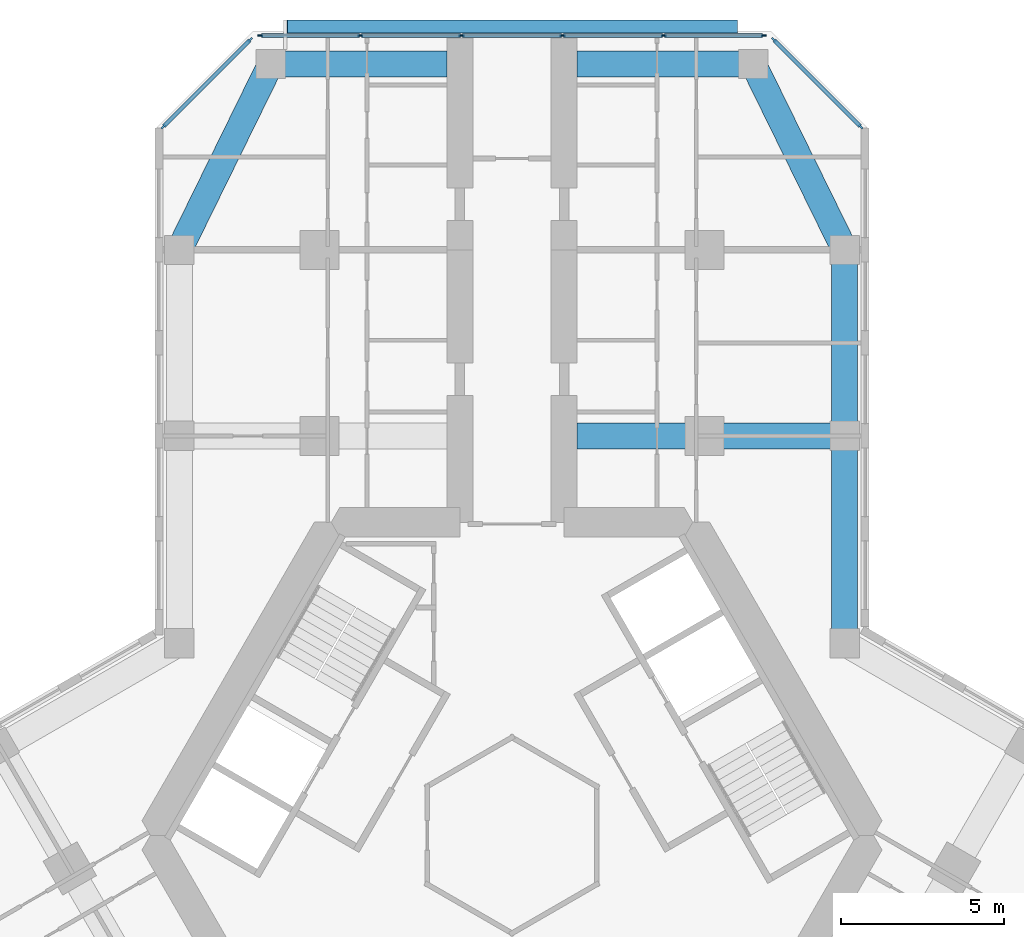
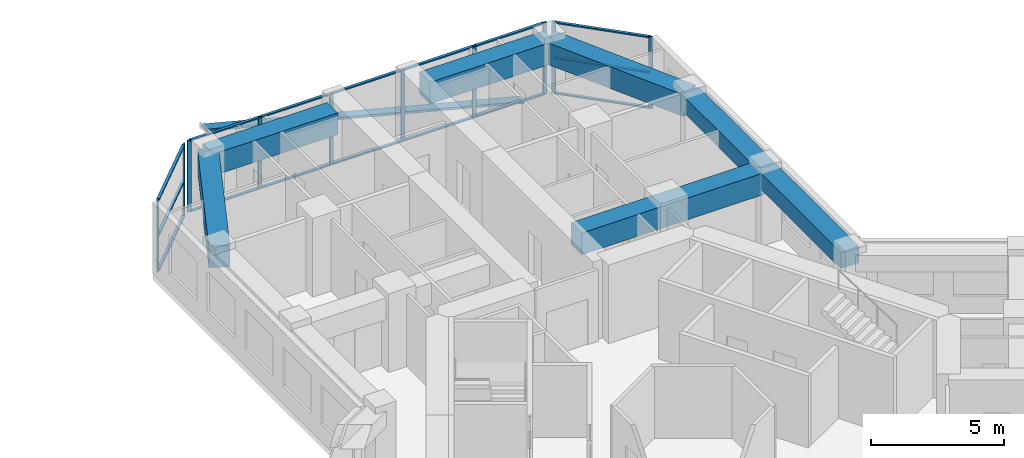
# One storey, part 7 of 20: 27 members, 7 beams, 3 elements without a shape of their own.
"""IFC4 building model written with IfcOpenShell, lengths in metres."""

from ifc_helpers import new_model, si_unit, direction, frame, origin, origin_2d, place, context, subcontext, project, spatial, rectangle, extrude, material, material_profile, profile_set, type_object, element, aggregate, save


model = new_model("IFC4")

# Units and contexts
model_context = context("Model", 3, precision=1e-05, world=origin(), true_north=direction((0.0, 1.0)))
body_context = subcontext(model_context, "Body", "Model", "MODEL_VIEW")
ifc_project = project(units=[si_unit("LENGTHUNIT", "METRE"), si_unit("AREAUNIT", "SQUARE_METRE"), si_unit("VOLUMEUNIT", "CUBIC_METRE"), si_unit("PLANEANGLEUNIT", "RADIAN"), si_unit("MASSUNIT", "GRAM", prefix="KILO")], contexts=[model_context])

# Site, building, storey
site_placement = place(None, origin())
site = spatial("IfcSite", under=ifc_project, at=site_placement, CompositionType="ELEMENT")
building_placement = place(site_placement, origin())
building = spatial("IfcBuilding", under=site, at=building_placement, Name="Kosmar Iwan School Tower", CompositionType="ELEMENT")
storey_placement = place(building_placement, frame((0.0, 0.0, 183.199951171875)))
storey = spatial("IfcBuildingStorey", under=building, at=storey_placement, Name="L46", CompositionType="ELEMENT", Elevation=183.199951171875)

# Beams
ifc_material_1 = material(Name="Concrete C50/60", Category="concrete")
ifc_material_profile_1 = material_profile(ifc_material_1, rectangle(XDim=0.800048828125, YDim=0.75, at=origin_2d()), Name="RC 800x750 + HD 400x634")
ifc_profile_set_1 = profile_set([ifc_material_profile_1], Name="Concrete C50/60")
beam_type_1 = type_object("IfcBeamType", Name="Composite edge beam 800x750 HD 400x634", PredefinedType="BEAM", material=ifc_profile_set_1)
beam_1_placement = place(storey_placement, frame((10.199951171875, 5.888916015625, 2.925048828125), z_axis=(0.0, 1.0, 0.0), x_axis=(-1.0, 0.0, 0.0)))
element("IfcBeam", 1, at=beam_1_placement, inside=storey, type_object=beam_type_1, Name="Edge beam AR1", PredefinedType="BEAM", context=body_context, shape_type="SweptSolid", body=[
    extrude(rectangle(XDim=0.800048828125, YDim=0.75, at=origin_2d()), origin(), (0.0, 0.0, 1.0), 6.361083984375),
])
beam_2_placement = place(storey_placement, frame((10.199951171875, 12.25, 2.925048828125), z_axis=(0.0, 1.0, 0.0), x_axis=(-1.0, 0.0, 0.0)))
element("IfcBeam", 2, at=beam_2_placement, inside=storey, type_object=beam_type_1, Name="Edge beam AR2", PredefinedType="BEAM", context=body_context, shape_type="SweptSolid", body=[
    extrude(rectangle(XDim=0.800048828125, YDim=0.75, at=origin_2d()), origin(), (0.0, 0.0, 1.0), 5.699951171875),
])
ifc_material_2 = material(Name="Concrete C50/60", Category="concrete")
ifc_material_profile_2 = material_profile(ifc_material_2, rectangle(XDim=0.800048828125, YDim=1.0, at=origin_2d()), Name="RC 800x1000 + HD 400x347")
ifc_profile_set_2 = profile_set([ifc_material_profile_2], Name="Concrete C50/60")
beam_type_2 = type_object("IfcBeamType", Name="Composite tip beam 800x1000 HD 400x347", PredefinedType="BEAM", material=ifc_profile_set_2)
beam_3_placement = place(storey_placement, frame((-10.199951171875, 17.949951171875, 2.800048828125), z_axis=(0.440913116462, 0.897549788999, 0.0), x_axis=(-0.897549788999, 0.440913116462, 0.0)))
element("IfcBeam", 3, at=beam_3_placement, inside=storey, type_object=beam_type_2, Name="Tip beam AL", PredefinedType="BEAM", context=body_context, shape_type="SweptSolid", body=[
    extrude(rectangle(XDim=0.800048828125, YDim=1.0, at=origin_2d()), origin(), (0.0, 0.0, 1.0), 6.3505859375),
])
beam_4_placement = place(storey_placement, frame((-7.39990234375, 23.64990234375, 2.800048828125), z_axis=(1.0, 0.0, 0.0), x_axis=(0.0, 1.0, 0.0)))
element("IfcBeam", 4, at=beam_4_placement, inside=storey, type_object=beam_type_2, Name="Tip beam AL to corridor wall", PredefinedType="BEAM", context=body_context, shape_type="SweptSolid", body=[
    extrude(rectangle(XDim=0.800048828125, YDim=1.0, at=origin_2d()), origin(), (0.0, 0.0, 1.0), 5.39990234375),
])
beam_5_placement = place(storey_placement, frame((10.199951171875, 17.949951171875, 2.800048828125), z_axis=(-0.440913116462, 0.897549788999, 0.0), x_axis=(-0.897549788999, -0.440913116462, 0.0)))
element("IfcBeam", 5, at=beam_5_placement, inside=storey, type_object=beam_type_2, Name="Tip beam AR", PredefinedType="BEAM", context=body_context, shape_type="SweptSolid", body=[
    extrude(rectangle(XDim=0.800048828125, YDim=1.0, at=origin_2d()), origin(), (0.0, 0.0, 1.0), 6.3505859375),
])
beam_6_placement = place(storey_placement, frame((7.39990234375, 23.64990234375, 2.800048828125), z_axis=(-1.0, 0.0, 0.0), x_axis=(0.0, -1.0, 0.0)))
element("IfcBeam", 6, at=beam_6_placement, inside=storey, type_object=beam_type_2, Name="Tip beam AR to corridor wall", PredefinedType="BEAM", context=body_context, shape_type="SweptSolid", body=[
    extrude(rectangle(XDim=0.800048828125, YDim=1.0, at=origin_2d()), origin(), (0.0, 0.0, 1.0), 5.39990234375),
])
ifc_material_3 = material(Name="Concrete C50/60", Category="concrete")
ifc_material_profile_3 = material_profile(ifc_material_3, rectangle(XDim=0.800048828125, YDim=1.0, at=origin_2d()), Name="RC 800x1000 + HD 400x634")
ifc_profile_set_3 = profile_set([ifc_material_profile_3], Name="Concrete C50/60")
beam_type_3 = type_object("IfcBeamType", Name="Composite transverse beam 800x1000 HD 400x634", PredefinedType="BEAM", material=ifc_profile_set_3)
beam_7_placement = place(storey_placement, frame((10.199951171875, 12.25, 2.800048828125), z_axis=(-1.0, 0.0, 0.0), x_axis=(0.0, -1.0, 0.0)))
element("IfcBeam", 7, at=beam_7_placement, inside=storey, type_object=beam_type_3, Name="Transverse beam AR1", PredefinedType="BEAM", context=body_context, shape_type="SweptSolid", body=[
    extrude(rectangle(XDim=0.800048828125, YDim=1.0, at=origin_2d()), origin(), (0.0, 0.0, 1.0), 8.199951171875),
])

# Member
ifc_material_4 = material(Name="Black anodised aluminium", Category="aluminium")
ifc_material_profile_4 = material_profile(ifc_material_4, rectangle(XDim=0.10009765625, YDim=0.39990234375, at=origin_2d()), Name="FIN 100x400")
ifc_profile_set_4 = profile_set([ifc_material_profile_4], Name="Black anodised aluminium")
member_type_1 = type_object("IfcMemberType", Name="Diagonal fin 100x400", PredefinedType="USERDEFINED", material=ifc_profile_set_4)
member_1_placement = place(storey_placement, frame((6.898193359375, 24.800048828125, -0.14990234375), z_axis=(-0.968452174919, 0.0, 0.249199488152), x_axis=(0.249199488152, 0.0, 0.968452174919)))
element("IfcMember", 8, at=member_1_placement, inside=storey, type_object=member_type_1, Name="Diagonal fin L46-F08", ObjectType="FIN", PredefinedType="USERDEFINED", context=body_context, shape_type="SweptSolid", body=[
    extrude(rectangle(XDim=0.10009765625, YDim=0.39990234375, at=origin_2d()), origin(), (0.0, 0.0, 1.0), 14.245849609375),
])

# Curtain wall, members
ifc_material_5 = material(Name="Dark glass in black aluminium frame", Category="aluminium")
curtain_wall_type_1 = type_object("IfcCurtainWallType", Name="Chamfer curtain wall dark glass", PredefinedType="USERDEFINED", material=ifc_material_5)
curtain_wall_1_placement = place(storey_placement, origin())
curtain_wall_1 = element("IfcCurtainWall", 9, at=curtain_wall_1_placement, inside=storey, type_object=curtain_wall_type_1, Name="Curtain wall L46-F07", ObjectType="FACETED CURTAIN WALL", PredefinedType="USERDEFINED")
ifc_material_6 = material(Name="Black anodised aluminium", Category="aluminium")
ifc_material_profile_5 = material_profile(ifc_material_6, rectangle(XDim=0.06005859375, YDim=0.159912109375, at=origin_2d()), Name="MULLION 60x160")
ifc_profile_set_5 = profile_set([ifc_material_profile_5], Name="Black anodised aluminium")
member_type_2 = type_object("IfcMemberType", Name="Mullion 60x160", PredefinedType="MULLION", material=ifc_profile_set_5)
member_2_placement = place(storey_placement, frame((10.69775390625, 21.7255859375, 0.0), z_axis=(0.0, 0.0, 1.0), x_axis=(-0.707106781187, -0.707106781187, 0.0)))
member_2 = element("IfcMember", 10, at=member_2_placement, type_object=member_type_2, Name="CW2 mullion 1", PredefinedType="MULLION", context=body_context, shape_type="SweptSolid", body=[
    extrude(rectangle(XDim=0.06005859375, YDim=0.159912109375, at=origin_2d()), origin(), (0.0, 0.0, 1.0), 3.300048828125),
])
member_3_placement = place(storey_placement, frame((8.025390625, 24.397705078125, 0.0), z_axis=(0.0, 0.0, 1.0), x_axis=(-0.707106781187, -0.707106781187, 0.0)))
member_3 = element("IfcMember", 11, at=member_3_placement, type_object=member_type_2, Name="CW2 mullion 2", PredefinedType="MULLION", context=body_context, shape_type="SweptSolid", body=[
    extrude(rectangle(XDim=0.06005859375, YDim=0.159912109375, at=origin_2d()), origin(), (0.0, 0.0, 1.0), 3.300048828125),
])

ifc_material_7 = material(Name="Dark glass in black aluminium frame", Category="aluminium")
curtain_wall_type_2 = type_object("IfcCurtainWallType", Name="Tower curtain wall dark glass", PredefinedType="USERDEFINED", material=ifc_material_7)
curtain_wall_2_placement = place(storey_placement, origin())
curtain_wall_2 = element("IfcCurtainWall", 12, at=curtain_wall_2_placement, inside=storey, type_object=curtain_wall_type_2, Name="Curtain wall L46-F08", ObjectType="UNITISED CURTAIN WALL", PredefinedType="USERDEFINED")
member_4_placement = place(storey_placement, frame((7.71826171875, 24.52490234375, 0.0), z_axis=(0.0, 0.0, 1.0), x_axis=(0.0, -1.0, 0.0)))
member_4 = element("IfcMember", 13, at=member_4_placement, type_object=member_type_2, Name="CW1 mullion 1", PredefinedType="MULLION", context=body_context, shape_type="SweptSolid", body=[
    extrude(rectangle(XDim=0.06005859375, YDim=0.159912109375, at=origin_2d()), origin(), (0.0, 0.0, 1.0), 3.300048828125),
])
member_5_placement = place(storey_placement, frame((4.64892578125, 24.52490234375, 0.0), z_axis=(0.0, 0.0, 1.0), x_axis=(0.0, -1.0, 0.0)))
member_5 = element("IfcMember", 14, at=member_5_placement, type_object=member_type_2, Name="CW1 mullion 2", PredefinedType="MULLION", context=body_context, shape_type="SweptSolid", body=[
    extrude(rectangle(XDim=0.06005859375, YDim=0.159912109375, at=origin_2d()), origin(), (0.0, 0.0, 1.0), 3.300048828125),
])
member_6_placement = place(storey_placement, frame((1.549560546875, 24.52490234375, 0.0), z_axis=(0.0, 0.0, 1.0), x_axis=(0.0, -1.0, 0.0)))
member_6 = element("IfcMember", 15, at=member_6_placement, type_object=member_type_2, Name="CW1 mullion 3", PredefinedType="MULLION", context=body_context, shape_type="SweptSolid", body=[
    extrude(rectangle(XDim=0.06005859375, YDim=0.159912109375, at=origin_2d()), origin(), (0.0, 0.0, 1.0), 3.300048828125),
])
member_7_placement = place(storey_placement, frame((-1.549560546875, 24.52490234375, 0.0), z_axis=(0.0, 0.0, 1.0), x_axis=(0.0, -1.0, 0.0)))
member_7 = element("IfcMember", 16, at=member_7_placement, type_object=member_type_2, Name="CW1 mullion 4", PredefinedType="MULLION", context=body_context, shape_type="SweptSolid", body=[
    extrude(rectangle(XDim=0.06005859375, YDim=0.159912109375, at=origin_2d()), origin(), (0.0, 0.0, 1.0), 3.300048828125),
])
member_8_placement = place(storey_placement, frame((-4.64892578125, 24.52490234375, 0.0), z_axis=(0.0, 0.0, 1.0), x_axis=(0.0, -1.0, 0.0)))
member_8 = element("IfcMember", 17, at=member_8_placement, type_object=member_type_2, Name="CW1 mullion 5", PredefinedType="MULLION", context=body_context, shape_type="SweptSolid", body=[
    extrude(rectangle(XDim=0.06005859375, YDim=0.159912109375, at=origin_2d()), origin(), (0.0, 0.0, 1.0), 3.300048828125),
])
member_9_placement = place(storey_placement, frame((-7.71826171875, 24.52490234375, 0.0), z_axis=(0.0, 0.0, 1.0), x_axis=(0.0, -1.0, 0.0)))
member_9 = element("IfcMember", 18, at=member_9_placement, type_object=member_type_2, Name="CW1 mullion 6", PredefinedType="MULLION", context=body_context, shape_type="SweptSolid", body=[
    extrude(rectangle(XDim=0.06005859375, YDim=0.159912109375, at=origin_2d()), origin(), (0.0, 0.0, 1.0), 3.300048828125),
])

curtain_wall_3_placement = place(storey_placement, origin())
curtain_wall_3 = element("IfcCurtainWall", 19, at=curtain_wall_3_placement, inside=storey, type_object=curtain_wall_type_1, Name="Curtain wall L46-F09", ObjectType="FACETED CURTAIN WALL", PredefinedType="USERDEFINED")
member_10_placement = place(storey_placement, frame((-8.025390625, 24.397705078125, 0.0), z_axis=(0.0, 0.0, 1.0), x_axis=(0.707106781187, -0.707106781187, 0.0)))
member_10 = element("IfcMember", 20, at=member_10_placement, type_object=member_type_2, Name="CW2 mullion 1", PredefinedType="MULLION", context=body_context, shape_type="SweptSolid", body=[
    extrude(rectangle(XDim=0.06005859375, YDim=0.159912109375, at=origin_2d()), origin(), (0.0, 0.0, 1.0), 3.300048828125),
])
member_11_placement = place(storey_placement, frame((-10.69775390625, 21.7255859375, 0.0), z_axis=(0.0, 0.0, 1.0), x_axis=(0.707106781187, -0.707106781187, 0.0)))
member_11 = element("IfcMember", 21, at=member_11_placement, type_object=member_type_2, Name="CW2 mullion 2", PredefinedType="MULLION", context=body_context, shape_type="SweptSolid", body=[
    extrude(rectangle(XDim=0.06005859375, YDim=0.159912109375, at=origin_2d()), origin(), (0.0, 0.0, 1.0), 3.300048828125),
])

# Member
ifc_material_8 = material(Name="Black anodised aluminium", Category="aluminium")
ifc_material_profile_6 = material_profile(ifc_material_8, rectangle(XDim=0.1201171875, YDim=0.06005859375, at=origin_2d()), Name="TRANSOM 60x120")
ifc_profile_set_6 = profile_set([ifc_material_profile_6], Name="Black anodised aluminium")
member_type_3 = type_object("IfcMemberType", Name="Transom 60x120", PredefinedType="USERDEFINED", material=ifc_profile_set_6)
member_12_placement = place(storey_placement, frame((10.676513671875, 21.746826171875, 0.030029296875), z_axis=(-0.707139603466, 0.707073957383, 0.0), x_axis=(-0.707073957383, -0.707139603466, 0.0)))
member_12 = element("IfcMember", 22, at=member_12_placement, type_object=member_type_3, Name="CW2 transom 1.1", ObjectType="TRANSOM", PredefinedType="USERDEFINED", context=body_context, shape_type="SweptSolid", body=[
    extrude(rectangle(XDim=0.1201171875, YDim=0.06005859375, at=origin_2d()), origin(), (0.0, 0.0, 1.0), 3.718994140625),
])

member_13_placement = place(storey_placement, frame((10.676513671875, 21.746826171875, 1.650146484375), z_axis=(-0.707139603466, 0.707073957383, 0.0), x_axis=(-0.707073957383, -0.707139603466, 0.0)))
member_13 = element("IfcMember", 23, at=member_13_placement, type_object=member_type_3, Name="CW2 transom 1.2", ObjectType="TRANSOM", PredefinedType="USERDEFINED", context=body_context, shape_type="SweptSolid", body=[
    extrude(rectangle(XDim=0.1201171875, YDim=0.06005859375, at=origin_2d()), origin(), (0.0, 0.0, 1.0), 3.718994140625),
])

member_14_placement = place(storey_placement, frame((10.676513671875, 21.746826171875, 3.27001953125), z_axis=(-0.707139603466, 0.707073957383, 0.0), x_axis=(-0.707073957383, -0.707139603466, 0.0)))
member_14 = element("IfcMember", 24, at=member_14_placement, type_object=member_type_3, Name="CW2 transom 1.3", ObjectType="TRANSOM", PredefinedType="USERDEFINED", context=body_context, shape_type="SweptSolid", body=[
    extrude(rectangle(XDim=0.1201171875, YDim=0.06005859375, at=origin_2d()), origin(), (0.0, 0.0, 1.0), 3.718994140625),
])

aggregate(curtain_wall_1, [member_2, member_3, member_12, member_13, member_14])

member_15_placement = place(storey_placement, frame((7.688232421875, 24.52490234375, 0.030029296875), z_axis=(-1.0, 0.0, 0.0), x_axis=(0.0, -1.0, 0.0)))
member_15 = element("IfcMember", 25, at=member_15_placement, type_object=member_type_3, Name="CW1 transom 1.1", ObjectType="TRANSOM", PredefinedType="USERDEFINED", context=body_context, shape_type="SweptSolid", body=[
    extrude(rectangle(XDim=0.1201171875, YDim=0.06005859375, at=origin_2d()), origin(), (0.0, 0.0, 1.0), 3.00927734375),
])

member_16_placement = place(storey_placement, frame((7.688232421875, 24.52490234375, 3.27001953125), z_axis=(-1.0, 0.0, 0.0), x_axis=(0.0, -1.0, 0.0)))
member_16 = element("IfcMember", 26, at=member_16_placement, type_object=member_type_3, Name="CW1 transom 1.2", ObjectType="TRANSOM", PredefinedType="USERDEFINED", context=body_context, shape_type="SweptSolid", body=[
    extrude(rectangle(XDim=0.1201171875, YDim=0.06005859375, at=origin_2d()), origin(), (0.0, 0.0, 1.0), 3.00927734375),
])

member_17_placement = place(storey_placement, frame((4.618896484375, 24.52490234375, 0.030029296875), z_axis=(-1.0, 0.0, 0.0), x_axis=(0.0, -1.0, 0.0)))
member_17 = element("IfcMember", 27, at=member_17_placement, type_object=member_type_3, Name="CW1 transom 2.1", ObjectType="TRANSOM", PredefinedType="USERDEFINED", context=body_context, shape_type="SweptSolid", body=[
    extrude(rectangle(XDim=0.1201171875, YDim=0.06005859375, at=origin_2d()), origin(), (0.0, 0.0, 1.0), 3.039306640625),
])

member_18_placement = place(storey_placement, frame((4.618896484375, 24.52490234375, 3.27001953125), z_axis=(-1.0, 0.0, 0.0), x_axis=(0.0, -1.0, 0.0)))
member_18 = element("IfcMember", 28, at=member_18_placement, type_object=member_type_3, Name="CW1 transom 2.2", ObjectType="TRANSOM", PredefinedType="USERDEFINED", context=body_context, shape_type="SweptSolid", body=[
    extrude(rectangle(XDim=0.1201171875, YDim=0.06005859375, at=origin_2d()), origin(), (0.0, 0.0, 1.0), 3.039306640625),
])

member_19_placement = place(storey_placement, frame((1.51953125, 24.52490234375, 0.030029296875), z_axis=(-1.0, 0.0, 0.0), x_axis=(0.0, -1.0, 0.0)))
member_19 = element("IfcMember", 29, at=member_19_placement, type_object=member_type_3, Name="CW1 transom 3.1", ObjectType="TRANSOM", PredefinedType="USERDEFINED", context=body_context, shape_type="SweptSolid", body=[
    extrude(rectangle(XDim=0.1201171875, YDim=0.06005859375, at=origin_2d()), origin(), (0.0, 0.0, 1.0), 3.0390625),
])

member_20_placement = place(storey_placement, frame((1.51953125, 24.52490234375, 3.27001953125), z_axis=(-1.0, 0.0, 0.0), x_axis=(0.0, -1.0, 0.0)))
member_20 = element("IfcMember", 30, at=member_20_placement, type_object=member_type_3, Name="CW1 transom 3.2", ObjectType="TRANSOM", PredefinedType="USERDEFINED", context=body_context, shape_type="SweptSolid", body=[
    extrude(rectangle(XDim=0.1201171875, YDim=0.06005859375, at=origin_2d()), origin(), (0.0, 0.0, 1.0), 3.0390625),
])

member_21_placement = place(storey_placement, frame((-1.57958984375, 24.52490234375, 0.030029296875), z_axis=(-1.0, 0.0, 0.0), x_axis=(0.0, -1.0, 0.0)))
member_21 = element("IfcMember", 31, at=member_21_placement, type_object=member_type_3, Name="CW1 transom 4.1", ObjectType="TRANSOM", PredefinedType="USERDEFINED", context=body_context, shape_type="SweptSolid", body=[
    extrude(rectangle(XDim=0.1201171875, YDim=0.06005859375, at=origin_2d()), origin(), (0.0, 0.0, 1.0), 3.039306640625),
])

member_22_placement = place(storey_placement, frame((-1.57958984375, 24.52490234375, 3.27001953125), z_axis=(-1.0, 0.0, 0.0), x_axis=(0.0, -1.0, 0.0)))
member_22 = element("IfcMember", 32, at=member_22_placement, type_object=member_type_3, Name="CW1 transom 4.2", ObjectType="TRANSOM", PredefinedType="USERDEFINED", context=body_context, shape_type="SweptSolid", body=[
    extrude(rectangle(XDim=0.1201171875, YDim=0.06005859375, at=origin_2d()), origin(), (0.0, 0.0, 1.0), 3.039306640625),
])

member_23_placement = place(storey_placement, frame((-4.678955078125, 24.52490234375, 0.030029296875), z_axis=(-1.0, 0.0, 0.0), x_axis=(0.0, -1.0, 0.0)))
member_23 = element("IfcMember", 33, at=member_23_placement, type_object=member_type_3, Name="CW1 transom 5.1", ObjectType="TRANSOM", PredefinedType="USERDEFINED", context=body_context, shape_type="SweptSolid", body=[
    extrude(rectangle(XDim=0.1201171875, YDim=0.06005859375, at=origin_2d()), origin(), (0.0, 0.0, 1.0), 3.00927734375),
])

member_24_placement = place(storey_placement, frame((-4.678955078125, 24.52490234375, 3.27001953125), z_axis=(-1.0, 0.0, 0.0), x_axis=(0.0, -1.0, 0.0)))
member_24 = element("IfcMember", 34, at=member_24_placement, type_object=member_type_3, Name="CW1 transom 5.2", ObjectType="TRANSOM", PredefinedType="USERDEFINED", context=body_context, shape_type="SweptSolid", body=[
    extrude(rectangle(XDim=0.1201171875, YDim=0.06005859375, at=origin_2d()), origin(), (0.0, 0.0, 1.0), 3.00927734375),
])

aggregate(curtain_wall_2, [member_4, member_5, member_6, member_7, member_8, member_9, member_15, member_16, member_17, member_18, member_19, member_20, member_21, member_22, member_23, member_24])

member_25_placement = place(storey_placement, frame((-8.046630859375, 24.37646484375, 0.030029296875), z_axis=(-0.707139603466, -0.707073957383, 0.0), x_axis=(0.707073957383, -0.707139603466, 0.0)))
member_25 = element("IfcMember", 35, at=member_25_placement, type_object=member_type_3, Name="CW2 transom 1.1", ObjectType="TRANSOM", PredefinedType="USERDEFINED", context=body_context, shape_type="SweptSolid", body=[
    extrude(rectangle(XDim=0.1201171875, YDim=0.06005859375, at=origin_2d()), origin(), (0.0, 0.0, 1.0), 3.718994140625),
])

member_26_placement = place(storey_placement, frame((-8.046630859375, 24.37646484375, 1.650146484375), z_axis=(-0.707139603466, -0.707073957383, 0.0), x_axis=(0.707073957383, -0.707139603466, 0.0)))
member_26 = element("IfcMember", 36, at=member_26_placement, type_object=member_type_3, Name="CW2 transom 1.2", ObjectType="TRANSOM", PredefinedType="USERDEFINED", context=body_context, shape_type="SweptSolid", body=[
    extrude(rectangle(XDim=0.1201171875, YDim=0.06005859375, at=origin_2d()), origin(), (0.0, 0.0, 1.0), 3.718994140625),
])

member_27_placement = place(storey_placement, frame((-8.046630859375, 24.37646484375, 3.27001953125), z_axis=(-0.707139603466, -0.707073957383, 0.0), x_axis=(0.707073957383, -0.707139603466, 0.0)))
member_27 = element("IfcMember", 37, at=member_27_placement, type_object=member_type_3, Name="CW2 transom 1.3", ObjectType="TRANSOM", PredefinedType="USERDEFINED", context=body_context, shape_type="SweptSolid", body=[
    extrude(rectangle(XDim=0.1201171875, YDim=0.06005859375, at=origin_2d()), origin(), (0.0, 0.0, 1.0), 3.718994140625),
])

aggregate(curtain_wall_3, [member_10, member_11, member_25, member_26, member_27])

save(model, "model.ifc")
